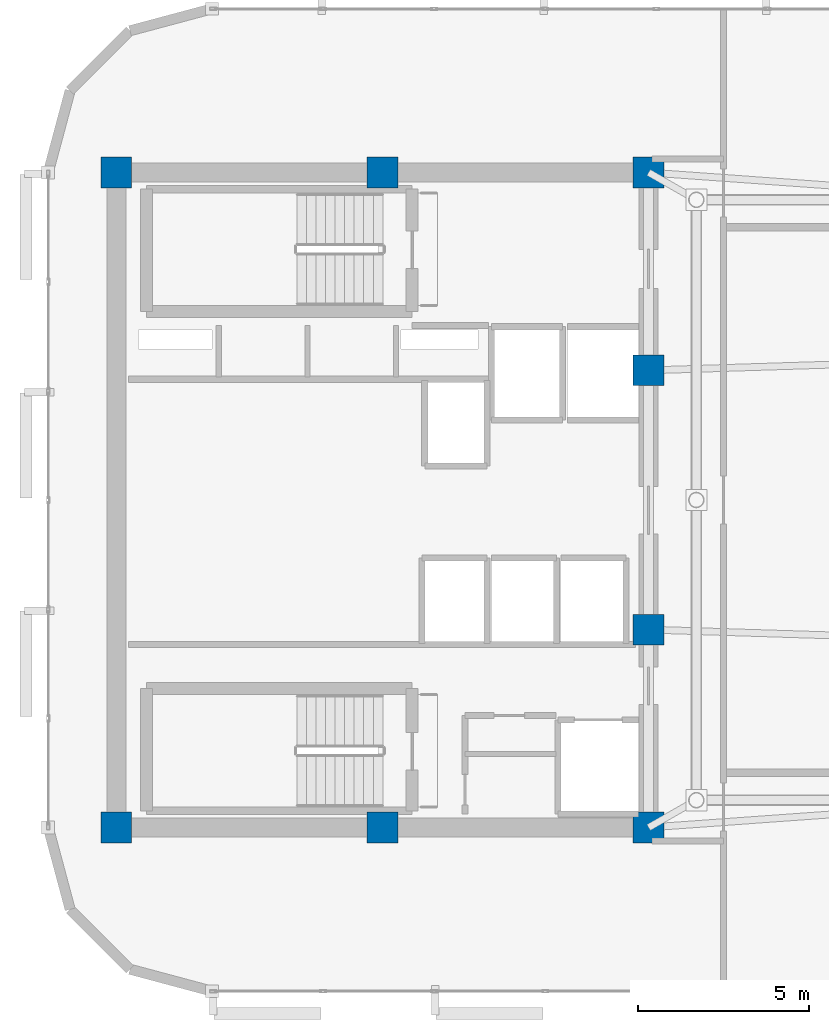
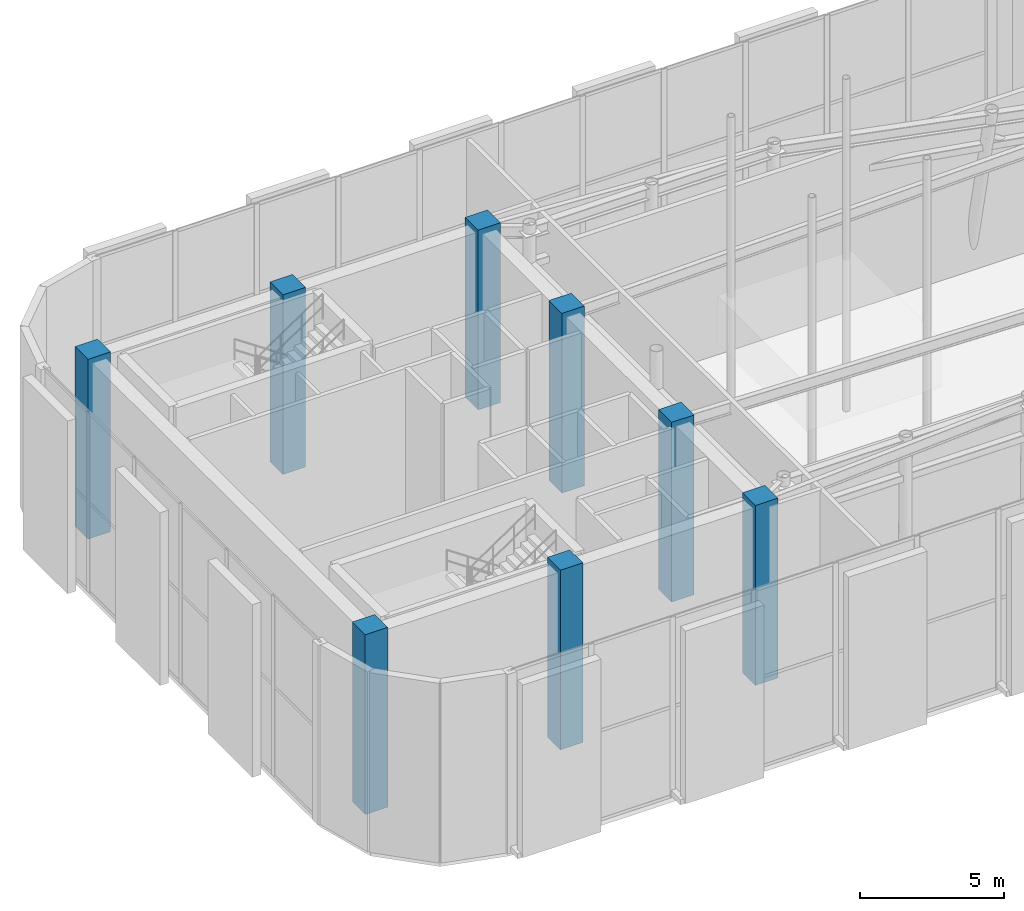
# One storey, part 1 of 22: 8 columns.
"""IFC4 building model written with IfcOpenShell, lengths in metres."""

from ifc_helpers import new_model, si_unit, direction, frame, origin, origin_2d, place, context, subcontext, project, spatial, rectangle, extrude, material, material_profile, profile_set, type_object, element, save


model = new_model("IFC4")

# Units and contexts
model_context = context("Model", 3, precision=1e-05, world=origin(), true_north=direction((0.0, 1.0)))
body_context = subcontext(model_context, "Body", "Model", "MODEL_VIEW")
ifc_project = project(units=[si_unit("LENGTHUNIT", "METRE"), si_unit("AREAUNIT", "SQUARE_METRE"), si_unit("VOLUMEUNIT", "CUBIC_METRE"), si_unit("PLANEANGLEUNIT", "RADIAN"), si_unit("MASSUNIT", "GRAM", prefix="KILO")], contexts=[model_context])

# Site, building, storey
site_placement = place(None, origin())
site = spatial("IfcSite", under=ifc_project, at=site_placement, CompositionType="ELEMENT")
building_placement = place(site_placement, origin())
building = spatial("IfcBuilding", under=site, at=building_placement, Name="An Khanh Terracotta Commons", CompositionType="ELEMENT")
storey_placement = place(building_placement, frame((0.0, 0.0, 300.39990234375)))
storey = spatial("IfcBuildingStorey", under=building, at=storey_placement, Name="L78 Crown Damper Chamber", CompositionType="ELEMENT", Elevation=300.39990234375)

# Columns
ifc_material = material(Name="Concrete C50/60", Category="concrete")
ifc_material_profile = material_profile(ifc_material, rectangle(XDim=0.89990234375, YDim=0.89990234375, at=origin_2d()), Name="RC900x900")
ifc_profile_set = profile_set([ifc_material_profile], Name="Concrete C50/60")
column_type = type_object("IfcColumnType", Name="COL-RC900x900", PredefinedType="COLUMN", material=ifc_profile_set)
for number, where, z_axis, x_axis, name in (
    (1, (21.60009765625, 14.39990234375, 0.0), (0.0, 0.0, 1.0), (1.0, 0.0, 0.0), "L78 Crown Damper Chamber Core Boundary Column CC-01"),
    (2, (29.39990234375, 14.39990234375, 0.0), (0.0, 0.0, 1.0), (1.0, 0.0, 0.0), "L78 Crown Damper Chamber Core Boundary Column CC-02"),
    (3, (37.199951171875, 14.39990234375, 0.0), (0.0, 0.0, 1.0), (1.0, 0.0, 0.0), "L78 Crown Damper Chamber Core Boundary Column CC-03"),
    (4, (37.199951171875, 20.199951171875, 0.0), (0.0, 0.0, 1.0), (1.0, 0.0, 0.0), "L78 Crown Damper Chamber Core Boundary Column CC-04"),
    (5, (37.199951171875, 27.800048828125, 0.0), (0.0, 0.0, 1.0), (1.0, 0.0, 0.0), "L78 Crown Damper Chamber Core Boundary Column CC-05"),
    (6, (37.199951171875, 33.60009765625, 0.0), (0.0, 0.0, 1.0), (1.0, 0.0, 0.0), "L78 Crown Damper Chamber Core Boundary Column CC-06"),
    (7, (29.39990234375, 33.60009765625, 0.0), (0.0, 0.0, 1.0), (1.0, 0.0, 0.0), "L78 Crown Damper Chamber Core Boundary Column CC-07"),
    (8, (21.60009765625, 33.60009765625, 0.0), (0.0, 0.0, 1.0), (1.0, 0.0, 0.0), "L78 Crown Damper Chamber Core Boundary Column CC-08"),
):
    element("IfcColumn", number, at=place(storey_placement, frame(where, z_axis=z_axis, x_axis=x_axis)), inside=storey, type_object=column_type, Name=name, PredefinedType="COLUMN", context=body_context, shape_type="SweptSolid", body=[
        extrude(rectangle(XDim=0.89990234375, YDim=0.89990234375, at=origin_2d()), origin(), (0.0, 0.0, 1.0), 7.60009765625),
    ])

save(model, "model.ifc")
